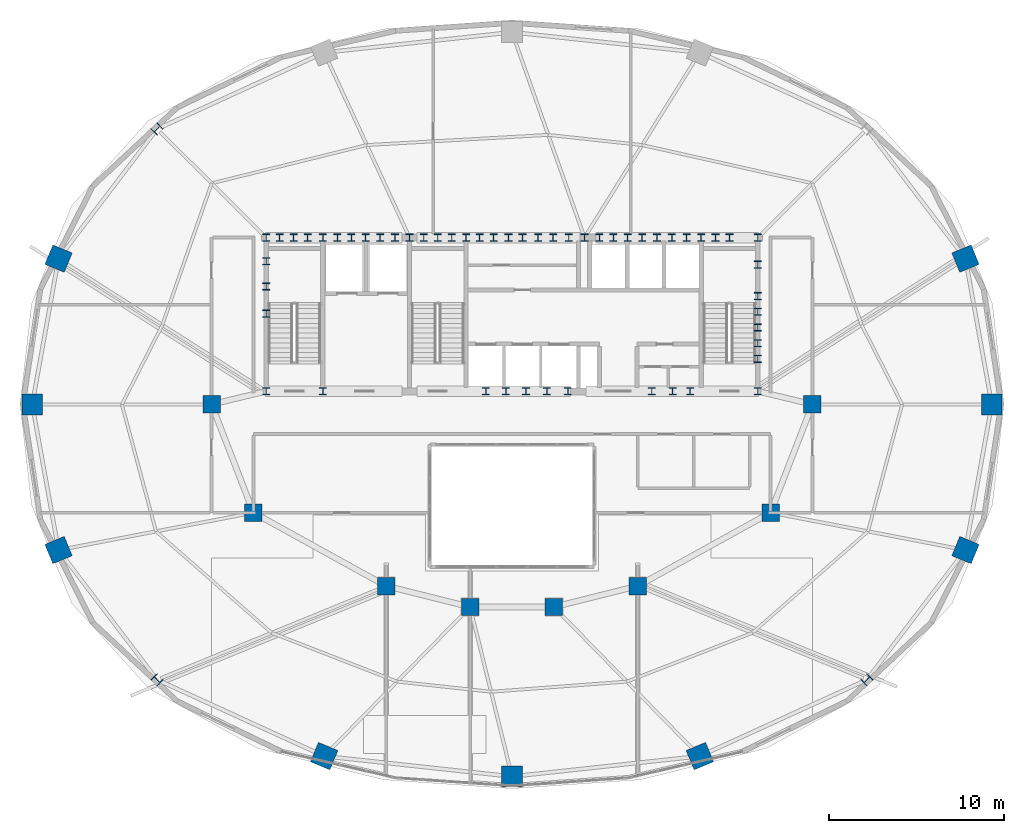
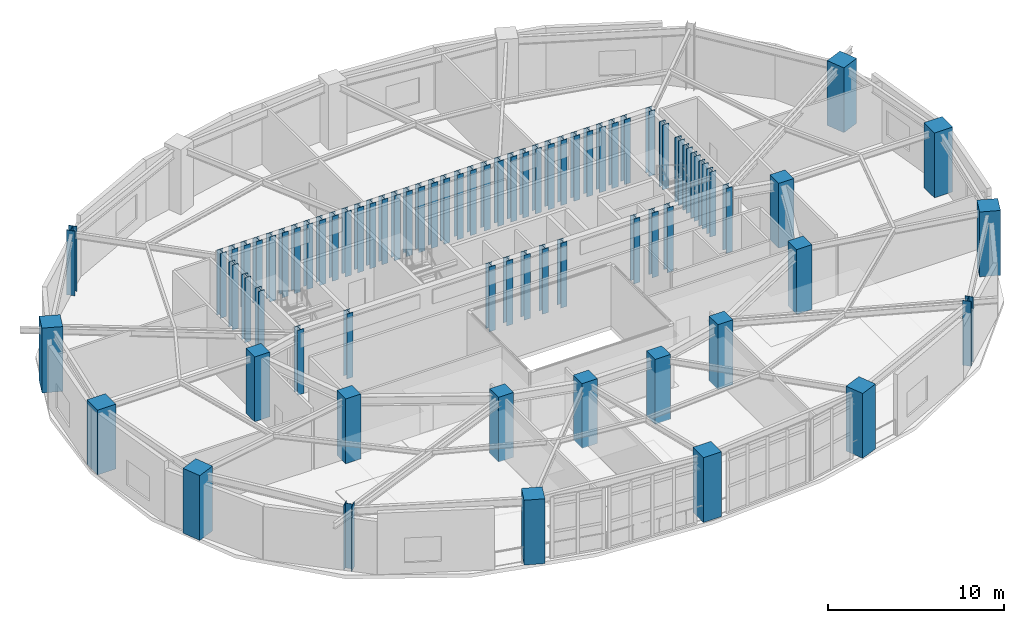
# One storey, part 1 of 13: 74 columns.
"""IFC4 building model written with IfcOpenShell, lengths in metres."""

import ifcopenshell
import ifcopenshell.guid

model = None  # the IFC model being written
_history = None  # IfcOwnerHistory: only IFC2X3 demands one
_inside = {}  # id of a spatial element -> (the spatial element, [elements in it])
_under = {}  # id of a project, library or spatial element -> (it, [spatial elements below it])
_declared = {}  # id of a project -> (the project, [libraries it declares])
_typed = {}  # id of a type object -> (the type object, [elements of that type])
_made_of = {}  # id of a material, layer set ... -> (it, [elements and type objects made of it])


def new_model(schema):
    """Start an empty IFC model of exactly this schema.

    Asked for "IFC4X3", IfcOpenShell would pick the latest addendum, in which some entities
    have other attributes; the version numbers below select the first issue.
    IFC2X3 requires an IfcOwnerHistory on every rooted entity: one is made here for all.
    """
    global model, _history
    if schema == "IFC4X3":
        model = ifcopenshell.file(schema_version=(4, 3, 0, 0))
    else:
        model = ifcopenshell.file(schema=schema)
    _inside.clear()
    _under.clear()
    _declared.clear()
    _typed.clear()
    _made_of.clear()
    _history = None
    if model.schema == "IFC2X3":
        org = make("IfcOrganization", Name="unknown")
        user = make(
            "IfcPersonAndOrganization",
            ThePerson=make("IfcPerson", FamilyName="unknown"),
            TheOrganization=org,
        )
        app = make(
            "IfcApplication",
            ApplicationDeveloper=org,
            Version="unknown",
            ApplicationFullName="unknown",
            ApplicationIdentifier="unknown",
        )
        _history = make(
            "IfcOwnerHistory",
            OwningUser=user,
            OwningApplication=app,
            ChangeAction="ADDED",
            CreationDate=0,
        )
    return model


def make(cls, **values):
    """One entity of the class cls with the attributes given. An attribute that is None is left unset."""
    return model.create_entity(
        cls, **{name: value for name, value in values.items() if value is not None}
    )


def rooted(cls, **values):
    """An entity with a GlobalId (a new one), such as an element, a storey or a relation."""
    return make(cls, GlobalId=ifcopenshell.guid.new(), OwnerHistory=_history, **values)


def si_unit(unit_type, name, prefix=None):
    """IfcSIUnit, for example si_unit("LENGTHUNIT", "METRE", prefix="MILLI")."""
    return make("IfcSIUnit", UnitType=unit_type, Prefix=prefix, Name=name)


def assignment(units):
    """IfcUnitAssignment: the units of a project."""
    return None if units is None else make("IfcUnitAssignment", Units=units)


def point(xyz):
    """IfcCartesianPoint."""
    return None if xyz is None else make("IfcCartesianPoint", Coordinates=xyz)


def direction(xyz):
    """IfcDirection."""
    return None if xyz is None else make("IfcDirection", DirectionRatios=xyz)


def frame(location, z_axis=None, x_axis=None):
    """IfcAxis2Placement3D, a coordinate frame: its origin and axes. An axis left out is left unset."""
    return make(
        "IfcAxis2Placement3D",
        Location=point(location),
        Axis=direction(z_axis),
        RefDirection=direction(x_axis),
    )


def frame_2d(location, x_axis=None):
    """IfcAxis2Placement2D, a coordinate frame in the plane: its origin and x axis."""
    return make(
        "IfcAxis2Placement2D", Location=point(location), RefDirection=direction(x_axis)
    )


def origin():
    """The frame at (0, 0, 0) with its axes left unset."""
    return frame((0.0, 0.0, 0.0))


def origin_2d():
    """The frame at (0, 0) in the plane with its x axis left unset."""
    return frame_2d((0.0, 0.0))


def place(relative_to, where):
    """IfcLocalPlacement: puts the frame where relative to a parent placement (None: the world)."""
    return make(
        "IfcLocalPlacement", PlacementRelTo=relative_to, RelativePlacement=where
    )


def context(
    kind, dimensions, precision=None, world=None, true_north=None, identifier=None
):
    """IfcGeometricRepresentationContext, for example the 3D "Model" context."""
    return make(
        "IfcGeometricRepresentationContext",
        ContextIdentifier=identifier,
        ContextType=kind,
        CoordinateSpaceDimension=dimensions,
        Precision=precision,
        WorldCoordinateSystem=world,
        TrueNorth=true_north,
    )


def subcontext(parent, identifier, kind, view, scale=None):
    """IfcGeometricRepresentationSubContext, for example "Body" below "Model"."""
    return make(
        "IfcGeometricRepresentationSubContext",
        ContextIdentifier=identifier,
        ContextType=kind,
        ParentContext=parent,
        TargetScale=scale,
        TargetView=view,
    )


def project(units=None, contexts=None):
    """IfcProject with its units and contexts."""
    return rooted(
        "IfcProject",
        Name="project",
        RepresentationContexts=contexts,
        UnitsInContext=assignment(units),
    )


def spatial(cls, under=None, at=None, **own):
    """A site, building, storey or space (cls), placed at a placement, below another one or the project."""
    s = rooted(cls, ObjectPlacement=at, **own)
    if under is not None:
        _under.setdefault(under.id(), (under, []))[1].append(s)
    return s


def profile(cls, at=None, kind="AREA", **sizes):
    """A parametric profile (cls). Its sizes go by their IFC names, for example OverallWidth=200.0."""
    return make(cls, ProfileType=kind, Position=at, **sizes)


def rectangle(**sizes):
    """IfcRectangleProfileDef."""
    return profile("IfcRectangleProfileDef", **sizes)


def i_section(**sizes):
    """IfcIShapeProfileDef."""
    return profile("IfcIShapeProfileDef", **sizes)


def extrude(swept, where, along, depth):
    """IfcExtrudedAreaSolid: the profile swept, set in the frame where, extruded along a direction by depth."""
    return make(
        "IfcExtrudedAreaSolid",
        SweptArea=swept,
        Position=where,
        ExtrudedDirection=direction(along),
        Depth=depth,
    )


def shape(context_of_items, identifier, shape_type, items):
    """IfcShapeRepresentation: the items that make up one representation, for example the "Body"."""
    return make(
        "IfcShapeRepresentation",
        ContextOfItems=context_of_items,
        RepresentationIdentifier=identifier,
        RepresentationType=shape_type,
        Items=items,
    )


def material(Name=None, Category=None):
    """IfcMaterial."""
    return make("IfcMaterial", Name=Name, Category=Category)


def material_profile(
    of_material, cross_section, Name=None, Category=None, Priority=None
):
    """IfcMaterialProfile: a cross section and its material."""
    return make(
        "IfcMaterialProfile",
        Name=Name,
        Material=of_material,
        Profile=cross_section,
        Priority=Priority,
        Category=Category,
    )


def profile_set(profiles, Name=None, composite=None):
    """IfcMaterialProfileSet."""
    return make(
        "IfcMaterialProfileSet",
        Name=Name,
        MaterialProfiles=profiles,
        CompositeProfile=composite,
    )


def made_of(thing, what):
    """Note that an element or type object is made of a material, layer set ...; save() writes the relation."""
    if what is not None:
        _made_of.setdefault(what.id(), (what, []))[1].append(thing)
    return thing


def type_object(cls, material=None, **own):
    """A type object (cls), such as IfcWallType, which elements share."""
    return made_of(rooted(cls, **own), material)


def element(
    cls,
    number,
    at=None,
    inside=None,
    cuts=None,
    type_object=None,
    material=None,
    context=None,
    identifier="Body",
    shape_type=None,
    held_by="IfcProductDefinitionShape",
    body=None,
    shapes=None,
    **own,
):
    """One element of the class cls, such as IfcWall. Its Tag is "e" and its number.

    at: its placement. inside: the storey or other place that contains it. cuts: it is an
    opening in that element (IfcRelVoidsElement). A single representation is given by context,
    identifier, shape_type and body (its items); several are given by shapes. held_by: the class
    of the entity that holds the representations. save() writes the other relations.
    """
    e = rooted(cls, Tag="e%d" % number, ObjectPlacement=at, **own)
    if body is not None:
        shapes = [shape(context, identifier, shape_type, body)]
    if shapes is not None:
        e.Representation = make(held_by, Representations=shapes)
    if inside is not None:
        _inside.setdefault(inside.id(), (inside, []))[1].append(e)
    if cuts is not None:
        rooted(
            "IfcRelVoidsElement", RelatingBuildingElement=cuts, RelatedOpeningElement=e
        )
    if type_object is not None:
        _typed.setdefault(type_object.id(), (type_object, []))[1].append(e)
    return made_of(e, material)


def aggregate(whole, parts):
    """IfcRelAggregates: a whole, such as a stair, and the parts it consists of."""
    return rooted("IfcRelAggregates", RelatingObject=whole, RelatedObjects=parts)


def save(model, path):
    """Write the relations noted so far, then the file.

    IfcRelAggregates (storeys below a building ...), IfcRelContainedInSpatialStructure (elements
    in a storey), IfcRelDefinesByType, IfcRelAssociatesMaterial and IfcRelDeclares: one each for
    every whole, place, type object, material and project.
    """
    for whole, parts in _under.values():
        aggregate(whole, parts)
    for where, things in _inside.values():
        rooted(
            "IfcRelContainedInSpatialStructure",
            RelatedElements=things,
            RelatingStructure=where,
        )
    for kind, things in _typed.values():
        rooted("IfcRelDefinesByType", RelatedObjects=things, RelatingType=kind)
    for what, things in _made_of.values():
        rooted("IfcRelAssociatesMaterial", RelatedObjects=things, RelatingMaterial=what)
    for by, libraries in _declared.values():
        rooted("IfcRelDeclares", RelatingContext=by, RelatedDefinitions=libraries)
    model.write(path)


model = new_model("IFC4")

# Units and contexts
model_context = context("Model", 3, precision=1e-05, world=origin(), true_north=direction((0.0, 1.0)))
body_context = subcontext(model_context, "Body", "Model", "MODEL_VIEW")
ifc_project = project(units=[si_unit("LENGTHUNIT", "METRE"), si_unit("AREAUNIT", "SQUARE_METRE"), si_unit("VOLUMEUNIT", "CUBIC_METRE"), si_unit("PLANEANGLEUNIT", "RADIAN"), si_unit("MASSUNIT", "GRAM", prefix="KILO")], contexts=[model_context])

# Site, building, storey
site_placement = place(None, origin())
site = spatial("IfcSite", under=ifc_project, at=site_placement, CompositionType="ELEMENT")
building_placement = place(site_placement, origin())
building = spatial("IfcBuilding", under=site, at=building_placement, Name="Haldorwick Loom Tower", CompositionType="ELEMENT")
storey_placement = place(building_placement, frame((0.0, 0.0, 188.949951171875)))
storey = spatial("IfcBuildingStorey", under=building, at=storey_placement, Name="L51", CompositionType="ELEMENT", Elevation=188.949951171875)

# Columns
ifc_material_1 = material(Name="Concrete C60 (60 MPa)", Category="concrete")
ifc_material_profile_1 = material_profile(ifc_material_1, rectangle(XDim=1.0, YDim=1.0, at=origin_2d()), Name="RC1000X1000", Category="concrete")
ifc_profile_set_1 = profile_set([ifc_material_profile_1], Name="Concrete C60 (60 MPa)")
column_type_1 = type_object("IfcColumnType", Name="STR-COL-RC1000", PredefinedType="COLUMN", material=ifc_profile_set_1)
for number, where, z_axis, x_axis, name in (
    (1, (53.199951171875, 26.0, 0.0), (0.0, 0.0, 1.0), (1.0, 0.0, 0.0), "L51 Inner Column IC-01"),
    (2, (50.800048828125, 19.800048828125, 0.0), (0.0, 0.0, 1.0), (1.0, 0.0, 0.0), "L51 Inner Column IC-02"),
    (3, (43.199951171875, 15.60009765625, 0.0), (0.0, 0.0, 1.0), (1.0, 0.0, 0.0), "L51 Inner Column IC-03"),
    (4, (38.39990234375, 14.39990234375, 0.0), (0.0, 0.0, 1.0), (1.0, 0.0, 0.0), "L51 Inner Column IC-04"),
    (5, (33.60009765625, 14.39990234375, 0.0), (0.0, 0.0, 1.0), (1.0, 0.0, 0.0), "L51 Inner Column IC-05"),
    (6, (28.800048828125, 15.60009765625, 0.0), (0.0, 0.0, 1.0), (1.0, 0.0, 0.0), "L51 Inner Column IC-06"),
    (7, (21.199951171875, 19.800048828125, 0.0), (0.0, 0.0, 1.0), (1.0, 0.0, 0.0), "L51 Inner Column IC-07"),
    (8, (18.800048828125, 26.0, 0.0), (0.0, 0.0, 1.0), (1.0, 0.0, 0.0), "L51 Inner Column IC-08"),
):
    element("IfcColumn", number, at=place(storey_placement, frame(where, z_axis=z_axis, x_axis=x_axis)), inside=storey, type_object=column_type_1, Name=name, PredefinedType="COLUMN", context=body_context, shape_type="SweptSolid", body=[
        extrude(rectangle(XDim=1.0, YDim=1.0, at=origin_2d()), origin(), (0.0, 0.0, 1.0), 4.5),
    ])
ifc_material_profile_2 = material_profile(ifc_material_1, rectangle(XDim=1.199951171875, YDim=1.199951171875, at=origin_2d()), Name="RC1200X1200", Category="concrete")
ifc_profile_set_2 = profile_set([ifc_material_profile_2], Name="Concrete C60 (60 MPa)")
column_type_2 = type_object("IfcColumnType", Name="STR-COL-RC1200", PredefinedType="COLUMN", material=ifc_profile_set_2)
for number, where, z_axis, x_axis, name in (
    (9, (63.46630859375, 26.0, 0.0), (0.0, 0.0, 1.0), (1.0, 0.0, 0.0), "L51 Perimeter Pier Column P01"),
    (10, (61.9609375, 34.342529296875, 0.0), (0.0, 0.0, 1.0), (0.923879532511, 0.382683432365, 0.0), "L51 Perimeter Pier Column P02"),
    (11, (10.0390625, 34.342529296875, 0.0), (0.0, 0.0, 1.0), (-0.923879532511, 0.382683432365, 0.0), "L51 Perimeter Pier Column P08"),
    (12, (8.53369140625, 26.0, 0.0), (0.0, 0.0, 1.0), (-1.0, 0.0, 0.0), "L51 Perimeter Pier Column P09"),
    (13, (10.0390625, 17.657470703125, 0.0), (0.0, 0.0, 1.0), (-0.923879532511, -0.382683432365, 0.0), "L51 Perimeter Pier Column P10"),
    (14, (25.24658203125, 5.859375, 0.0), (0.0, 0.0, 1.0), (-0.382683432365, -0.923879532511, 0.0), "L51 Perimeter Pier Column P12"),
    (15, (36.0, 4.695068359375, 0.0), (0.0, 0.0, 1.0), (0.0, -1.0, 0.0), "L51 Perimeter Pier Column P13"),
    (16, (46.75341796875, 5.859375, 0.0), (0.0, 0.0, 1.0), (0.382683432365, -0.923879532511, 0.0), "L51 Perimeter Pier Column P14"),
    (17, (61.9609375, 17.657470703125, 0.0), (0.0, 0.0, 1.0), (0.923879532511, -0.382683432365, 0.0), "L51 Perimeter Pier Column P16"),
):
    element("IfcColumn", number, at=place(storey_placement, frame(where, z_axis=z_axis, x_axis=x_axis)), inside=storey, type_object=column_type_2, Name=name, PredefinedType="COLUMN", context=body_context, shape_type="SweptSolid", body=[
        extrude(rectangle(XDim=1.199951171875, YDim=1.199951171875, at=origin_2d()), origin(), (0.0, 0.0, 1.0), 4.5),
    ])
ifc_material_2 = material(Name="Steel CSA G40.21 350W", Category="steel")
ifc_material_profile_3 = material_profile(ifc_material_2, i_section(OverallWidth=0.406005859375, OverallDepth=0.416015625, WebThickness=0.024169921875, FlangeThickness=0.03857421875, at=origin_2d()), Name="W360X382", Category="steel")
ifc_profile_set_3 = profile_set([ifc_material_profile_3], Name="Steel CSA G40.21 350W")
column_type_3 = type_object("IfcColumnType", Name="STR-COL-W360X382", PredefinedType="COLUMN", material=ifc_profile_set_3)
for number, where, z_axis, x_axis, name in (
    (18, (21.929931640625, 35.550048828125, 0.0), (0.0, 0.0, 1.0), (1.0, 0.0, 0.0), "L51 Core Pilaster CB-01"),
    (19, (23.5, 35.550048828125, 0.0), (0.0, 0.0, 1.0), (1.0, 0.0, 0.0), "L51 Core Pilaster CB-02"),
    (20, (25.169921875, 35.550048828125, 0.0), (0.0, 0.0, 1.0), (1.0, 0.0, 0.0), "L51 Core Pilaster CB-03"),
    (21, (26.800048828125, 35.550048828125, 0.0), (0.0, 0.0, 1.0), (1.0, 0.0, 0.0), "L51 Core Pilaster CB-04"),
    (22, (28.449951171875, 35.550048828125, 0.0), (0.0, 0.0, 1.0), (1.0, 0.0, 0.0), "L51 Core Pilaster CB-05"),
    (23, (30.1298828125, 35.550048828125, 0.0), (0.0, 0.0, 1.0), (1.0, 0.0, 0.0), "L51 Core Pilaster CB-06"),
    (24, (31.75, 35.550048828125, 0.0), (0.0, 0.0, 1.0), (1.0, 0.0, 0.0), "L51 Core Pilaster CB-07"),
    (25, (33.3701171875, 35.550048828125, 0.0), (0.0, 0.0, 1.0), (1.0, 0.0, 0.0), "L51 Core Pilaster CB-08"),
    (26, (34.949951171875, 35.550048828125, 0.0), (0.0, 0.0, 1.0), (1.0, 0.0, 0.0), "L51 Core Pilaster CB-09"),
    (27, (36.60009765625, 35.550048828125, 0.0), (0.0, 0.0, 1.0), (1.0, 0.0, 0.0), "L51 Core Pilaster CB-10"),
    (28, (38.35009765625, 35.550048828125, 0.0), (0.0, 0.0, 1.0), (1.0, 0.0, 0.0), "L51 Core Pilaster CB-11"),
    (29, (40.14990234375, 35.550048828125, 0.0), (0.0, 0.0, 1.0), (1.0, 0.0, 0.0), "L51 Core Pilaster CB-12"),
    (30, (41.800048828125, 35.550048828125, 0.0), (0.0, 0.0, 1.0), (1.0, 0.0, 0.0), "L51 Core Pilaster CB-13"),
    (31, (43.449951171875, 35.550048828125, 0.0), (0.0, 0.0, 1.0), (1.0, 0.0, 0.0), "L51 Core Pilaster CB-14"),
    (32, (45.14990234375, 35.550048828125, 0.0), (0.0, 0.0, 1.0), (1.0, 0.0, 0.0), "L51 Core Pilaster CB-15"),
    (33, (46.830078125, 35.550048828125, 0.0), (0.0, 0.0, 1.0), (1.0, 0.0, 0.0), "L51 Core Pilaster CB-16"),
    (34, (48.449951171875, 35.550048828125, 0.0), (0.0, 0.0, 1.0), (1.0, 0.0, 0.0), "L51 Core Pilaster CB-17"),
    (35, (50.070068359375, 35.550048828125, 0.0), (0.0, 0.0, 1.0), (1.0, 0.0, 0.0), "L51 Core Pilaster CB-18"),
    (36, (21.929931640625, 26.75, 0.0), (0.0, 0.0, 1.0), (1.0, 0.0, 0.0), "L51 Core Pilaster CB-19"),
    (37, (25.169921875, 26.75, 0.0), (0.0, 0.0, 1.0), (1.0, 0.0, 0.0), "L51 Core Pilaster CB-20"),
    (38, (34.5, 26.75, 0.0), (0.0, 0.0, 1.0), (1.0, 0.0, 0.0), "L51 Core Pilaster CB-21"),
    (39, (36.800048828125, 26.75, 0.0), (0.0, 0.0, 1.0), (1.0, 0.0, 0.0), "L51 Core Pilaster CB-22"),
    (40, (39.199951171875, 26.75, 0.0), (0.0, 0.0, 1.0), (1.0, 0.0, 0.0), "L51 Core Pilaster CB-23"),
    (41, (45.199951171875, 26.75, 0.0), (0.0, 0.0, 1.0), (1.0, 0.0, 0.0), "L51 Core Pilaster CB-24"),
    (42, (50.070068359375, 26.75, 0.0), (0.0, 0.0, 1.0), (1.0, 0.0, 0.0), "L51 Core Pilaster CB-25"),
    (43, (21.929931640625, 31.199951171875, 0.0), (0.0, 0.0, 1.0), (1.0, 0.0, 0.0), "L51 Core Pilaster CB-26"),
    (44, (21.929931640625, 32.75, 0.0), (0.0, 0.0, 1.0), (1.0, 0.0, 0.0), "L51 Core Pilaster CB-27"),
    (45, (21.929931640625, 34.199951171875, 0.0), (0.0, 0.0, 1.0), (1.0, 0.0, 0.0), "L51 Core Pilaster CB-28"),
    (46, (50.070068359375, 28.60009765625, 0.0), (0.0, 0.0, 1.0), (1.0, 0.0, 0.0), "L51 Core Pilaster CB-29"),
    (47, (50.070068359375, 30.39990234375, 0.0), (0.0, 0.0, 1.0), (1.0, 0.0, 0.0), "L51 Core Pilaster CB-30"),
    (48, (50.070068359375, 32.199951171875, 0.0), (0.0, 0.0, 1.0), (1.0, 0.0, 0.0), "L51 Core Pilaster CB-31"),
    (49, (50.070068359375, 34.0, 0.0), (0.0, 0.0, 1.0), (1.0, 0.0, 0.0), "L51 Core Pilaster CB-32"),
    (50, (22.699951171875, 35.550048828125, 0.0), (0.0, 0.0, 1.0), (1.0, 0.0, 0.0), "L51 Core Pilaster CB-33"),
    (51, (27.6201171875, 35.550048828125, 0.0), (0.0, 0.0, 1.0), (1.0, 0.0, 0.0), "L51 Core Pilaster CB-34"),
    (52, (32.550048828125, 35.550048828125, 0.0), (0.0, 0.0, 1.0), (1.0, 0.0, 0.0), "L51 Core Pilaster CB-35"),
    (53, (37.5, 35.550048828125, 0.0), (0.0, 0.0, 1.0), (1.0, 0.0, 0.0), "L51 Core Pilaster CB-36"),
    (54, (42.6201171875, 35.550048828125, 0.0), (0.0, 0.0, 1.0), (1.0, 0.0, 0.0), "L51 Core Pilaster CB-37"),
    (55, (47.64990234375, 35.550048828125, 0.0), (0.0, 0.0, 1.0), (1.0, 0.0, 0.0), "L51 Core Pilaster CB-38"),
    (56, (24.300048828125, 35.550048828125, 0.0), (0.0, 0.0, 1.0), (1.0, 0.0, 0.0), "L51 Core Pilaster CB-39"),
    (57, (26.0, 35.550048828125, 0.0), (0.0, 0.0, 1.0), (1.0, 0.0, 0.0), "L51 Core Pilaster CB-40"),
    (58, (29.300048828125, 35.550048828125, 0.0), (0.0, 0.0, 1.0), (1.0, 0.0, 0.0), "L51 Core Pilaster CB-41"),
    (59, (30.949951171875, 35.550048828125, 0.0), (0.0, 0.0, 1.0), (1.0, 0.0, 0.0), "L51 Core Pilaster CB-42"),
    (60, (34.14990234375, 35.550048828125, 0.0), (0.0, 0.0, 1.0), (1.0, 0.0, 0.0), "L51 Core Pilaster CB-43"),
    (61, (35.800048828125, 35.550048828125, 0.0), (0.0, 0.0, 1.0), (1.0, 0.0, 0.0), "L51 Core Pilaster CB-44"),
    (62, (39.25, 35.550048828125, 0.0), (0.0, 0.0, 1.0), (1.0, 0.0, 0.0), "L51 Core Pilaster CB-45"),
    (63, (41.0, 35.550048828125, 0.0), (0.0, 0.0, 1.0), (1.0, 0.0, 0.0), "L51 Core Pilaster CB-46"),
    (64, (44.300048828125, 35.550048828125, 0.0), (0.0, 0.0, 1.0), (1.0, 0.0, 0.0), "L51 Core Pilaster CB-47"),
    (65, (46.0, 35.550048828125, 0.0), (0.0, 0.0, 1.0), (1.0, 0.0, 0.0), "L51 Core Pilaster CB-48"),
    (66, (50.070068359375, 29.5, 0.0), (0.0, 0.0, 1.0), (1.0, 0.0, 0.0), "L51 Core Pilaster CB-49"),
    (67, (50.070068359375, 31.300048828125, 0.0), (0.0, 0.0, 1.0), (1.0, 0.0, 0.0), "L51 Core Pilaster CB-50"),
    (68, (35.64990234375, 26.75, 0.0), (0.0, 0.0, 1.0), (1.0, 0.0, 0.0), "L51 Core Pilaster CB-51"),
    (69, (38.0, 26.75, 0.0), (0.0, 0.0, 1.0), (1.0, 0.0, 0.0), "L51 Core Pilaster CB-52"),
    (70, (44.0, 26.75, 0.0), (0.0, 0.0, 1.0), (1.0, 0.0, 0.0), "L51 Core Pilaster CB-53"),
    (71, (46.199951171875, 26.75, 0.0), (0.0, 0.0, 1.0), (1.0, 0.0, 0.0), "L51 Core Pilaster CB-54"),
):
    element("IfcColumn", number, at=place(storey_placement, frame(where, z_axis=z_axis, x_axis=x_axis)), inside=storey, type_object=column_type_3, Name=name, PredefinedType="COLUMN", context=body_context, shape_type="SweptSolid", body=[
        extrude(i_section(OverallWidth=0.406005859375, OverallDepth=0.416015625, WebThickness=0.024169921875, FlangeThickness=0.03857421875, at=origin_2d()), origin(), (0.0, 0.0, 1.0), 4.5),
    ])
ifc_material_3 = material(Name="Steel CSA G40.21 350WT", Category="steel")
ifc_material_profile_4 = material_profile(ifc_material_3, i_section(OverallWidth=0.5, OverallDepth=0.5, WebThickness=0.02197265625, FlangeThickness=0.031982421875, at=origin_2d()), Name="WWF500X500", Category="steel")
ifc_profile_set_4 = profile_set([ifc_material_profile_4], Name="Steel CSA G40.21 350WT")
column_type_4 = type_object("IfcColumnType", Name="STR-COL-WWF500", PredefinedType="COLUMN", material=ifc_profile_set_4)
for number, where, z_axis, x_axis, name in (
    (72, (15.682373046875, 41.764892578125, 0.0), (0.0, 0.0, 1.0), (-0.707106781187, 0.707106781187, 0.0), "L51 Perimeter Pier Column P07"),
    (73, (15.682373046875, 10.235107421875, 0.0), (0.0, 0.0, 1.0), (-0.707106781187, -0.707106781187, 0.0), "L51 Perimeter Pier Column P11"),
    (74, (56.317626953125, 10.235107421875, 0.0), (0.0, 0.0, 1.0), (0.707106781187, -0.707106781187, 0.0), "L51 Perimeter Pier Column P15"),
):
    element("IfcColumn", number, at=place(storey_placement, frame(where, z_axis=z_axis, x_axis=x_axis)), inside=storey, type_object=column_type_4, Name=name, PredefinedType="COLUMN", context=body_context, shape_type="SweptSolid", body=[
        extrude(i_section(OverallWidth=0.5, OverallDepth=0.5, WebThickness=0.02197265625, FlangeThickness=0.031982421875, at=origin_2d()), origin(), (0.0, 0.0, 1.0), 4.5),
    ])

save(model, "model.ifc")
